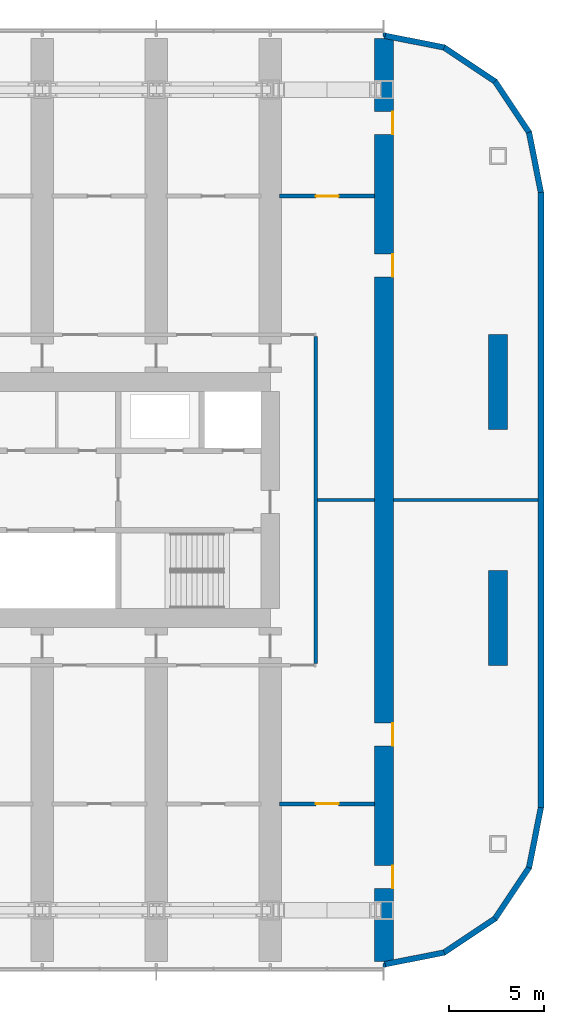
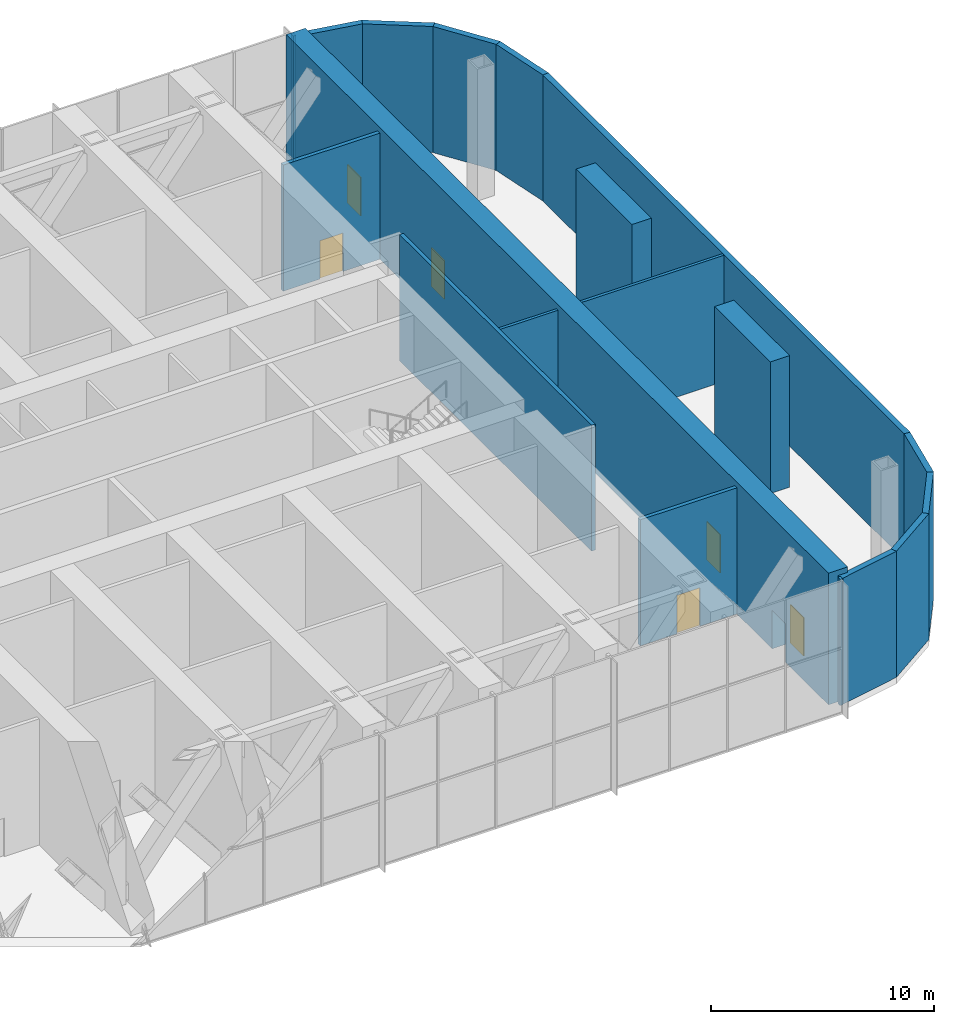
# One storey, part 15 of 24: 19 walls, 6 doors, 6 openings.
"""IFC4 building model written with IfcOpenShell, lengths in metres."""

from ifc_helpers import new_model, si_unit, direction, frame, frame_2d, origin, place, context, subcontext, project, spatial, polyline, rectangle, outline, extrude, material, layer, layer_set, type_object, element, fill, save


model = new_model("IFC4")

# Units and contexts
model_context = context("Model", 3, precision=1e-05, world=origin(), true_north=direction((0.0, 1.0)))
body_context = subcontext(model_context, "Body", "Model", "MODEL_VIEW")
ifc_project = project(units=[si_unit("LENGTHUNIT", "METRE"), si_unit("AREAUNIT", "SQUARE_METRE"), si_unit("VOLUMEUNIT", "CUBIC_METRE"), si_unit("PLANEANGLEUNIT", "RADIAN"), si_unit("MASSUNIT", "GRAM", prefix="KILO")], contexts=[model_context])

# Site, building, storey
site_placement = place(None, origin())
site = spatial("IfcSite", under=ifc_project, at=site_placement, CompositionType="ELEMENT")
building_placement = place(site_placement, origin())
building = spatial("IfcBuilding", under=site, at=building_placement, Name="Orbita Commons", CompositionType="ELEMENT")
storey_placement = place(building_placement, frame((0.0, 0.0, 68.949951171875)))
storey = spatial("IfcBuildingStorey", under=building, at=storey_placement, Name="L17", CompositionType="ELEMENT", Elevation=68.949951171875)

# Wall
ifc_material_1 = material(Name="Concrete blockwork", Category="masonry")
ifc_layer_1 = layer(ifc_material_1, 0.199951171875)
ifc_layer_set_1 = layer_set([ifc_layer_1], Name="Concrete blockwork")
wall_type_1 = type_object("IfcWallType", Name="Corridor wall 200 blockwork", PredefinedType="SOLIDWALL", material=ifc_layer_set_1)
wall_1_placement = place(storey_placement, frame((68.39990234375, 23.39990234375, 0.0), z_axis=(0.0, 0.0, 1.0), x_axis=(0.0, 1.0, 0.0)))
element("IfcWall", 1, at=wall_1_placement, inside=storey, type_object=wall_type_1, Name="Corridor wall 200 blockwork L17", PredefinedType="SOLIDWALL", context=body_context, shape_type="SweptSolid", body=[
    extrude(rectangle(XDim=17.2001953125, YDim=0.199951171875, at=frame_2d((8.60009765625, 0.0))), origin(), (0.0, 0.0, 1.0), 6.900146484375),
])

# Wall, opening, door
ifc_material_2 = material(Name="Hollow concrete block 200", Category="concrete")
ifc_layer_2 = layer(ifc_material_2, 0.199951171875)
ifc_layer_set_2 = layer_set([ifc_layer_2], Name="Hollow concrete block 200")
wall_type_2 = type_object("IfcWallType", Name="Corridor wall 200 hollow concrete block", PredefinedType="SOLIDWALL", material=ifc_layer_set_2)
wall_2_placement = place(storey_placement, frame((66.5, 16.0, 0.0), z_axis=(0.0, 0.0, 1.0), x_axis=(1.0, 0.0, 0.0)))
wall_2 = element("IfcWall", 2, at=wall_2_placement, inside=storey, type_object=wall_type_2, Name="Corridor wall 200 hollow concrete block L17", PredefinedType="SOLIDWALL", context=body_context, shape_type="SweptSolid", body=[
    extrude(rectangle(XDim=5.0, YDim=0.199951171875, at=frame_2d((2.5, 0.0))), origin(), (0.0, 0.0, 1.0), 6.900146484375),
])
opening_1_placement = place(wall_2_placement, frame((1.89990234375, 0.0, 0.0)))
opening_1 = element("IfcOpeningElement", 3, at=opening_1_placement, cuts=wall_2, Name="Opening D01", PredefinedType="OPENING", context=body_context, shape_type="SweptSolid", body=[
    extrude(rectangle(XDim=1.199951171875, YDim=2.10009765625, at=frame_2d((0.60009765625, 1.050048828125))), frame((0.0, 0.10986328125, 0.0), z_axis=(0.0, -1.0, 0.0), x_axis=(1.0, 0.0, 0.0)), (0.0, 0.0, 1.0), 0.219970703125),
])
ifc_material_3 = material(Name="Steel-faced fire door leaf", Category="steel")
door_type = type_object("IfcDoorType", Name="Fire door 90 min 1200x2100", OperationType="SINGLE_SWING_LEFT", PredefinedType="DOOR", material=ifc_material_3)
door_1_placement = place(opening_1_placement, origin())
door_1 = element("IfcDoor", 4, at=door_1_placement, inside=storey, type_object=door_type, Name="Refuge area door L17", OperationType="SINGLE_SWING_LEFT", OverallHeight=2.10009765625, OverallWidth=1.199951171875, PredefinedType="DOOR", context=body_context, shape_type="SweptSolid", body=[
    extrude(rectangle(XDim=1.199951171875, YDim=2.10009765625, at=frame_2d((0.60009765625, 1.050048828125))), frame((0.0, 0.02490234375, 0.0), z_axis=(0.0, -1.0, 0.0), x_axis=(1.0, 0.0, 0.0)), (0.0, 0.0, 1.0), 0.050048828125),
])
fill(opening_1, door_1)

wall_3_placement = place(storey_placement, frame((66.5, 48.0, 0.0), z_axis=(0.0, 0.0, 1.0), x_axis=(1.0, 0.0, 0.0)))
wall_3 = element("IfcWall", 5, at=wall_3_placement, inside=storey, type_object=wall_type_2, Name="Corridor wall 200 hollow concrete block L17", PredefinedType="SOLIDWALL", context=body_context, shape_type="SweptSolid", body=[
    extrude(rectangle(XDim=5.0, YDim=0.199951171875, at=frame_2d((2.5, 0.0))), origin(), (0.0, 0.0, 1.0), 6.900146484375),
])
opening_2_placement = place(wall_3_placement, frame((1.89990234375, 0.0, 0.0)))
opening_2 = element("IfcOpeningElement", 6, at=opening_2_placement, cuts=wall_3, Name="Opening D01", PredefinedType="OPENING", context=body_context, shape_type="SweptSolid", body=[
    extrude(rectangle(XDim=1.199951171875, YDim=2.10009765625, at=frame_2d((0.60009765625, 1.050048828125))), frame((0.0, 0.10986328125, 0.0), z_axis=(0.0, -1.0, 0.0), x_axis=(1.0, 0.0, 0.0)), (0.0, 0.0, 1.0), 0.219970703125),
])
door_2_placement = place(opening_2_placement, origin())
door_2 = element("IfcDoor", 7, at=door_2_placement, inside=storey, type_object=door_type, Name="Plant room door L17", OperationType="SINGLE_SWING_LEFT", OverallHeight=2.10009765625, OverallWidth=1.199951171875, PredefinedType="DOOR", context=body_context, shape_type="SweptSolid", body=[
    extrude(rectangle(XDim=1.199951171875, YDim=2.10009765625, at=frame_2d((0.60009765625, 1.050048828125))), frame((0.0, 0.02490234375, 0.0), z_axis=(0.0, -1.0, 0.0), x_axis=(1.0, 0.0, 0.0)), (0.0, 0.0, 1.0), 0.050048828125),
])
fill(opening_2, door_2)

# Wall, openings, doors
ifc_material_4 = material(Name="Concrete C50/60", Category="concrete")
ifc_layer_3 = layer(ifc_material_4, 1.0)
ifc_layer_set_3 = layer_set([ifc_layer_3], Name="Concrete C50/60")
wall_type_3 = type_object("IfcWallType", Name="Cross wall 1000 C50/60", PredefinedType="SHEAR", material=ifc_layer_set_3)
wall_4_placement = place(storey_placement, frame((72.0, 7.699951171875, 0.0), z_axis=(0.0, 0.0, 1.0), x_axis=(0.0, 1.0, 0.0)))
wall_4 = element("IfcWall", 8, at=wall_4_placement, inside=storey, type_object=wall_type_3, Name="Cross wall 13 L17", PredefinedType="SHEAR", context=body_context, shape_type="SweptSolid", body=[
    extrude(rectangle(XDim=48.60009765625, YDim=1.0, at=frame_2d((24.300048828125, 0.0))), origin(), (0.0, 0.0, 1.0), 7.199951171875),
])
opening_3_placement = place(wall_4_placement, frame((3.85009765625, 0.0, 0.0)))
opening_3 = element("IfcOpeningElement", 9, at=opening_3_placement, cuts=wall_4, Name="Opening D01", PredefinedType="OPENING", context=body_context, shape_type="SweptSolid", body=[
    extrude(rectangle(XDim=1.199951171875, YDim=2.10009765625, at=frame_2d((0.60009765625, 1.050048828125))), frame((0.0, 0.510009765625, 0.0), z_axis=(0.0, -1.0, 0.0), x_axis=(1.0, 0.0, 0.0)), (0.0, 0.0, 1.0), 1.02001953125),
])
opening_4_placement = place(wall_4_placement, frame((11.35009765625, 0.0, 0.0)))
opening_4 = element("IfcOpeningElement", 10, at=opening_4_placement, cuts=wall_4, Name="Opening D01", PredefinedType="OPENING", context=body_context, shape_type="SweptSolid", body=[
    extrude(rectangle(XDim=1.199951171875, YDim=2.10009765625, at=frame_2d((0.60009765625, 1.050048828125))), frame((0.0, 0.510009765625, 0.0), z_axis=(0.0, -1.0, 0.0), x_axis=(1.0, 0.0, 0.0)), (0.0, 0.0, 1.0), 1.02001953125),
])
opening_5_placement = place(wall_4_placement, frame((43.550048828125, 0.0, 0.0)))
opening_5 = element("IfcOpeningElement", 11, at=opening_5_placement, cuts=wall_4, Name="Opening D01", PredefinedType="OPENING", context=body_context, shape_type="SweptSolid", body=[
    extrude(rectangle(XDim=1.199951171875, YDim=2.10009765625, at=frame_2d((0.60009765625, 1.050048828125))), frame((0.0, 0.510009765625, 0.0), z_axis=(0.0, -1.0, 0.0), x_axis=(1.0, 0.0, 0.0)), (0.0, 0.0, 1.0), 1.02001953125),
])
opening_6_placement = place(wall_4_placement, frame((36.050048828125, 0.0, 0.0)))
opening_6 = element("IfcOpeningElement", 12, at=opening_6_placement, cuts=wall_4, Name="Opening D01", PredefinedType="OPENING", context=body_context, shape_type="SweptSolid", body=[
    extrude(rectangle(XDim=1.199951171875, YDim=2.10009765625, at=frame_2d((0.60009765625, 1.050048828125))), frame((0.0, 0.510009765625, 0.0), z_axis=(0.0, -1.0, 0.0), x_axis=(1.0, 0.0, 0.0)), (0.0, 0.0, 1.0), 1.02001953125),
])
door_3_placement = place(opening_3_placement, origin())
door_3 = element("IfcDoor", 13, at=door_3_placement, inside=storey, type_object=door_type, Name="Refuge area connecting door L17", OperationType="SINGLE_SWING_LEFT", OverallHeight=2.10009765625, OverallWidth=1.199951171875, PredefinedType="DOOR", context=body_context, shape_type="SweptSolid", body=[
    extrude(rectangle(XDim=1.199951171875, YDim=2.10009765625, at=frame_2d((0.60009765625, 1.050048828125))), frame((0.0, -0.43505859375, 0.0), z_axis=(0.0, -1.0, 0.0), x_axis=(1.0, 0.0, 0.0)), (0.0, 0.0, 1.0), 0.050048828125),
])
fill(opening_3, door_3)
door_4_placement = place(opening_4_placement, origin())
door_4 = element("IfcDoor", 14, at=door_4_placement, inside=storey, type_object=door_type, Name="Refuge area connecting door L17", OperationType="SINGLE_SWING_LEFT", OverallHeight=2.10009765625, OverallWidth=1.199951171875, PredefinedType="DOOR", context=body_context, shape_type="SweptSolid", body=[
    extrude(rectangle(XDim=1.199951171875, YDim=2.10009765625, at=frame_2d((0.60009765625, 1.050048828125))), frame((0.0, -0.43505859375, 0.0), z_axis=(0.0, -1.0, 0.0), x_axis=(1.0, 0.0, 0.0)), (0.0, 0.0, 1.0), 0.050048828125),
])
fill(opening_4, door_4)
door_5_placement = place(opening_5_placement, origin())
door_5 = element("IfcDoor", 15, at=door_5_placement, inside=storey, type_object=door_type, Name="Plant room connecting door L17", OperationType="SINGLE_SWING_LEFT", OverallHeight=2.10009765625, OverallWidth=1.199951171875, PredefinedType="DOOR", context=body_context, shape_type="SweptSolid", body=[
    extrude(rectangle(XDim=1.199951171875, YDim=2.10009765625, at=frame_2d((0.60009765625, 1.050048828125))), frame((0.0, -0.43505859375, 0.0), z_axis=(0.0, -1.0, 0.0), x_axis=(1.0, 0.0, 0.0)), (0.0, 0.0, 1.0), 0.050048828125),
])
fill(opening_5, door_5)
door_6_placement = place(opening_6_placement, origin())
door_6 = element("IfcDoor", 16, at=door_6_placement, inside=storey, type_object=door_type, Name="Plant room connecting door L17", OperationType="SINGLE_SWING_LEFT", OverallHeight=2.10009765625, OverallWidth=1.199951171875, PredefinedType="DOOR", context=body_context, shape_type="SweptSolid", body=[
    extrude(rectangle(XDim=1.199951171875, YDim=2.10009765625, at=frame_2d((0.60009765625, 1.050048828125))), frame((0.0, -0.43505859375, 0.0), z_axis=(0.0, -1.0, 0.0), x_axis=(1.0, 0.0, 0.0)), (0.0, 0.0, 1.0), 0.050048828125),
])
fill(opening_6, door_6)

# Walls
ifc_material_5 = material(Name="Concrete C50/60", Category="concrete")
ifc_layer_4 = layer(ifc_material_5, 1.0)
ifc_layer_set_4 = layer_set([ifc_layer_4], Name="Concrete C50/60")
wall_type_4 = type_object("IfcWallType", Name="End pier 1000x5000 C50/60", PredefinedType="SHEAR", material=ifc_layer_set_4)
for number, where, z_axis, x_axis, name in (
    (17, (78.0, 23.300048828125, 0.0), (0.0, 0.0, 1.0), (0.0, 1.0, 0.0), "End pier 14/C L17"),
    (18, (78.0, 35.699951171875, 0.0), (0.0, 0.0, 1.0), (0.0, 1.0, 0.0), "End pier 14/D L17"),
):
    element("IfcWall", number, at=place(storey_placement, frame(where, z_axis=z_axis, x_axis=x_axis)), inside=storey, type_object=wall_type_4, Name=name, PredefinedType="SHEAR", context=body_context, shape_type="SweptSolid", body=[
        extrude(rectangle(XDim=5.0, YDim=1.0, at=frame_2d((2.5, 0.0))), origin(), (0.0, 0.0, 1.0), 7.199951171875),
    ])
ifc_material_6 = material(Name="Gypsum plasterboard on steel studs", Category="steel")
ifc_layer_5 = layer(ifc_material_6, 0.14990234375)
ifc_layer_set_5 = layer_set([ifc_layer_5], Name="Gypsum plasterboard on steel studs")
wall_type_5 = type_object("IfcWallType", Name="Partition 150 plasterboard", PredefinedType="PARTITIONING", material=ifc_layer_set_5)
wall_5_placement = place(storey_placement, frame((68.5, 32.0, 0.0), z_axis=(0.0, 0.0, 1.0), x_axis=(1.0, 0.0, 0.0)))
element("IfcWall", 19, at=wall_5_placement, inside=storey, type_object=wall_type_5, Name="Partition 150 plasterboard L17", PredefinedType="PARTITIONING", context=body_context, shape_type="SweptSolid", body=[
    extrude(rectangle(XDim=3.0, YDim=0.14990234375, at=frame_2d((1.5, 0.0))), origin(), (0.0, 0.0, 1.0), 6.900146484375),
])
wall_6_placement = place(storey_placement, frame((72.5, 32.0, 0.0), z_axis=(0.0, 0.0, 1.0), x_axis=(1.0, 0.0, 0.0)))
element("IfcWall", 20, at=wall_6_placement, inside=storey, type_object=wall_type_5, Name="Partition 150 plasterboard L17", PredefinedType="PARTITIONING", context=body_context, shape_type="SweptSolid", body=[
    extrude(rectangle(XDim=7.594970703125, YDim=0.14990234375, at=frame_2d((3.79736328125, 0.0))), origin(), (0.0, 0.0, 1.0), 6.900146484375),
])
for number, where, z_axis, x_axis, name in (
    (21, (72.0, 7.60009765625, 0.0), (0.0, 0.0, 1.0), (0.0, -1.0, 0.0), "Partition 150 plasterboard L17"),
    (22, (72.0, 56.39990234375, 0.0), (0.0, 0.0, 1.0), (0.0, 1.0, 0.0), "Partition 150 plasterboard L17"),
):
    element("IfcWall", number, at=place(storey_placement, frame(where, z_axis=z_axis, x_axis=x_axis)), inside=storey, type_object=wall_type_5, Name=name, PredefinedType="PARTITIONING", context=body_context, shape_type="SweptSolid", body=[
        extrude(rectangle(XDim=0.22021484375, YDim=0.14990234375, at=frame_2d((0.110107421875, 0.0))), origin(), (0.0, 0.0, 1.0), 6.900146484375),
    ])
ifc_material_7 = material(Name="Precast concrete C40/50, white board-marked finish", Category="concrete")
ifc_layer_6 = layer(ifc_material_7, 0.300048828125)
ifc_layer_set_6 = layer_set([ifc_layer_6], Name="Precast concrete C40/50, white board-marked finish")
wall_type_6 = type_object("IfcWallType", Name="Precast concrete end shield 300", PredefinedType="SOLIDWALL", material=ifc_layer_set_6)
wall_7_placement = place(storey_placement, frame((80.25, 15.800048828125, 0.0), z_axis=(0.0, 0.0, 1.0), x_axis=(0.0, 1.0, 0.0)))
element("IfcWall", 23, at=wall_7_placement, inside=storey, type_object=wall_type_6, Name="End shield E L17", PredefinedType="SOLIDWALL", context=body_context, shape_type="SweptSolid", body=[
    extrude(outline(polyline([(-0.014892578125, -0.14990234375), (32.414794921875, -0.14990234375), (32.385009765625, 0.14990234375), (0.014892578125, 0.14990234375), (-0.014892578125, -0.14990234375)])), origin(), (0.0, 0.0, 1.0), 6.900146484375),
])
wall_8_placement = place(storey_placement, frame((72.0, 7.550048828125, 0.0), z_axis=(0.0, 0.0, 1.0), x_axis=(0.980787251524, 0.195080412259, 0.0)))
element("IfcWall", 24, at=wall_8_placement, inside=storey, type_object=wall_type_6, Name="End shield SE chord 1 L17", PredefinedType="SOLIDWALL", context=body_context, shape_type="SweptSolid", body=[
    extrude(outline(polyline([(-0.02978515625, -0.14990234375), (3.24853515625, -0.14990234375), (3.18896484375, 0.14990234375), (0.02978515625, 0.14990234375), (-0.02978515625, -0.14990234375)])), origin(), (0.0, 0.0, 1.0), 6.900146484375),
])
wall_9_placement = place(storey_placement, frame((75.156982421875, 8.177978515625, 0.0), z_axis=(0.0, 0.0, 1.0), x_axis=(0.831478105043, 0.555557522525, 0.0)))
element("IfcWall", 25, at=wall_9_placement, inside=storey, type_object=wall_type_6, Name="End shield SE chord 2 L17", PredefinedType="SOLIDWALL", context=body_context, shape_type="SweptSolid", body=[
    extrude(outline(polyline([(-0.02978515625, -0.14990234375), (3.248779296875, -0.14990234375), (3.189208984375, 0.14990234375), (0.02978515625, 0.14990234375), (-0.02978515625, -0.14990234375)])), origin(), (0.0, 0.0, 1.0), 6.900146484375),
])
wall_10_placement = place(storey_placement, frame((77.83349609375, 9.96630859375, 0.0), z_axis=(0.0, 0.0, 1.0), x_axis=(0.555609954424, 0.831443069936, 0.0)))
element("IfcWall", 26, at=wall_10_placement, inside=storey, type_object=wall_type_6, Name="End shield SE chord 3 L17", PredefinedType="SOLIDWALL", context=body_context, shape_type="SweptSolid", body=[
    extrude(outline(polyline([(-0.02978515625, -0.14990234375), (3.2490234375, -0.14990234375), (3.189453125, 0.14990234375), (0.02978515625, 0.14990234375), (-0.02978515625, -0.14990234375)])), origin(), (0.0, 0.0, 1.0), 6.900146484375),
])
wall_11_placement = place(storey_placement, frame((79.6220703125, 12.642822265625, 0.0), z_axis=(0.0, 0.0, 1.0), x_axis=(0.195065901187, 0.980790137692, 0.0)))
element("IfcWall", 27, at=wall_11_placement, inside=storey, type_object=wall_type_6, Name="End shield SE chord 4 L17", PredefinedType="SOLIDWALL", context=body_context, shape_type="SweptSolid", body=[
    extrude(outline(polyline([(-0.02978515625, -0.14990234375), (3.23388671875, -0.14990234375), (3.2041015625, 0.14990234375), (0.02978515625, 0.14990234375), (-0.02978515625, -0.14990234375)])), origin(), (0.0, 0.0, 1.0), 6.900146484375),
])
wall_12_placement = place(storey_placement, frame((80.25, 48.199951171875, 0.0), z_axis=(0.0, 0.0, 1.0), x_axis=(-0.195065901187, 0.980790137692, 0.0)))
element("IfcWall", 28, at=wall_12_placement, inside=storey, type_object=wall_type_6, Name="End shield NE chord 1 L17", PredefinedType="SOLIDWALL", context=body_context, shape_type="SweptSolid", body=[
    extrude(outline(polyline([(-0.014892578125, -0.14990234375), (3.248779296875, -0.14990234375), (3.189208984375, 0.14990234375), (0.014892578125, 0.14990234375), (-0.014892578125, -0.14990234375)])), origin(), (0.0, 0.0, 1.0), 6.900146484375),
])
wall_13_placement = place(storey_placement, frame((79.6220703125, 51.357177734375, 0.0), z_axis=(0.0, 0.0, 1.0), x_axis=(-0.555609954424, 0.831443069936, 0.0)))
element("IfcWall", 29, at=wall_13_placement, inside=storey, type_object=wall_type_6, Name="End shield NE chord 2 L17", PredefinedType="SOLIDWALL", context=body_context, shape_type="SweptSolid", body=[
    extrude(outline(polyline([(-0.02978515625, -0.14990234375), (3.2490234375, -0.14990234375), (3.189453125, 0.14990234375), (0.02978515625, 0.14990234375), (-0.02978515625, -0.14990234375)])), origin(), (0.0, 0.0, 1.0), 6.900146484375),
])
wall_14_placement = place(storey_placement, frame((77.83349609375, 54.03369140625, 0.0), z_axis=(0.0, 0.0, 1.0), x_axis=(-0.831478105043, 0.555557522525, 0.0)))
element("IfcWall", 30, at=wall_14_placement, inside=storey, type_object=wall_type_6, Name="End shield NE chord 3 L17", PredefinedType="SOLIDWALL", context=body_context, shape_type="SweptSolid", body=[
    extrude(outline(polyline([(-0.02978515625, -0.14990234375), (3.248779296875, -0.14990234375), (3.189208984375, 0.14990234375), (0.02978515625, 0.14990234375), (-0.02978515625, -0.14990234375)])), origin(), (0.0, 0.0, 1.0), 6.900146484375),
])
wall_15_placement = place(storey_placement, frame((75.156982421875, 55.822021484375, 0.0), z_axis=(0.0, 0.0, 1.0), x_axis=(-0.980787251524, 0.195080412259, 0.0)))
element("IfcWall", 31, at=wall_15_placement, inside=storey, type_object=wall_type_6, Name="End shield NE chord 4 L17", PredefinedType="SOLIDWALL", context=body_context, shape_type="SweptSolid", body=[
    extrude(outline(polyline([(-0.02978515625, -0.14990234375), (3.24853515625, -0.14990234375), (3.18896484375, 0.14990234375), (0.02978515625, 0.14990234375), (-0.02978515625, -0.14990234375)])), origin(), (0.0, 0.0, 1.0), 6.900146484375),
])

save(model, "model.ifc")
